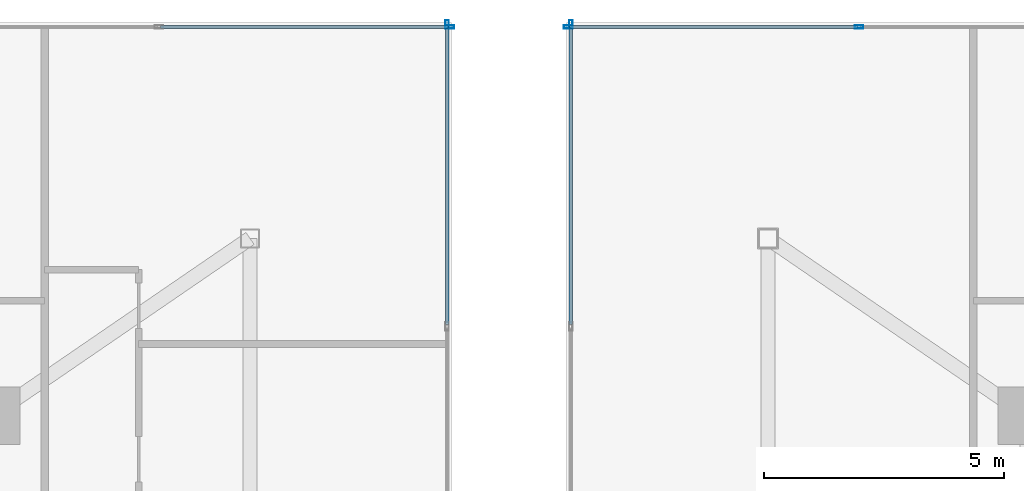
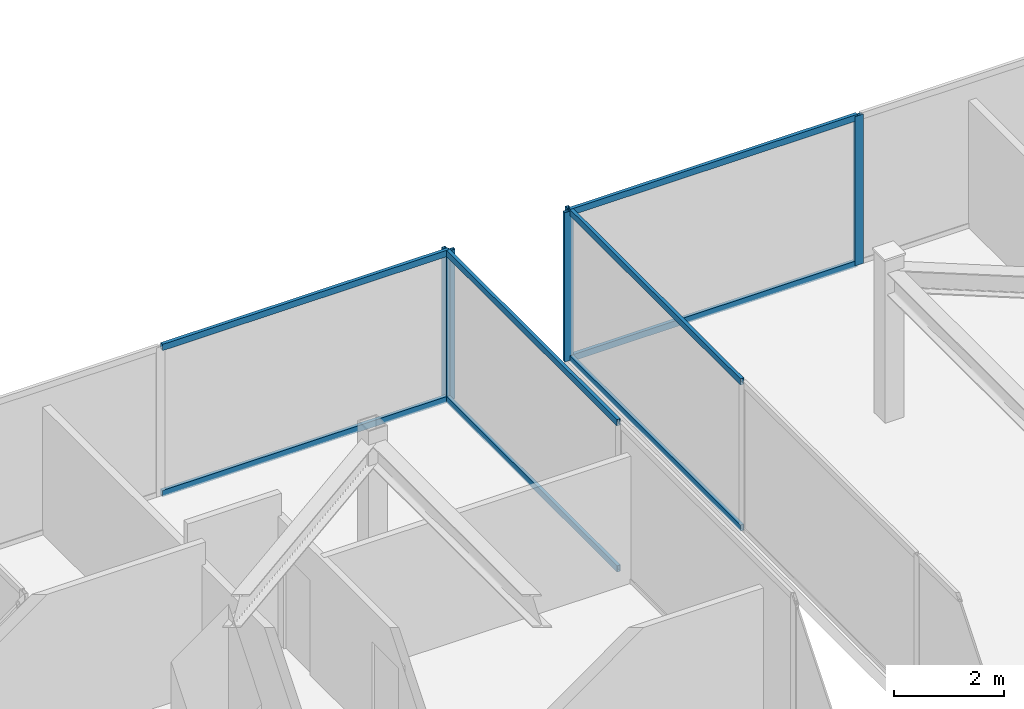
# One storey, part 20 of 25: 13 members, 4 elements without a shape of their own.
"""IFC4 building model written with IfcOpenShell, lengths in metres."""

from ifc_helpers import new_model, si_unit, direction, frame, origin, origin_2d, place, context, subcontext, project, spatial, hollow_rectangle, extrude, source, transform, mapped, material, material_profile, profile_set, type_object, type_shapes, element, aggregate, save


model = new_model("IFC4")

# Units and contexts
model_context = context("Model", 3, precision=1e-05, world=origin(), true_north=direction((0.0, 1.0)))
body_context = subcontext(model_context, "Body", "Model", "MODEL_VIEW")
ifc_project = project(units=[si_unit("LENGTHUNIT", "METRE"), si_unit("AREAUNIT", "SQUARE_METRE"), si_unit("VOLUMEUNIT", "CUBIC_METRE"), si_unit("PLANEANGLEUNIT", "RADIAN"), si_unit("MASSUNIT", "GRAM", prefix="KILO")], contexts=[model_context])

# Site, building, storey
site_placement = place(None, origin())
site = spatial("IfcSite", under=ifc_project, at=site_placement, CompositionType="ELEMENT")
building_placement = place(site_placement, origin())
building = spatial("IfcBuilding", under=site, at=building_placement, Name="Krantzveldt Concourse Tower", CompositionType="ELEMENT")
storey_placement = place(building_placement, frame((0.0, 0.0, 374.64990234375)))
storey = spatial("IfcBuildingStorey", under=building, at=storey_placement, Name="L92", CompositionType="ELEMENT", Elevation=374.64990234375)

# Curtain wall, members
ifc_material = material(Name="Anodised aluminium 6063-T6", Category="aluminium")
curtain_wall_type = type_object("IfcCurtainWallType", Name="CW7", PredefinedType="USERDEFINED", material=ifc_material)
curtain_wall_1_placement = place(storey_placement, origin())
curtain_wall_1 = element("IfcCurtainWall", 1, at=curtain_wall_1_placement, inside=storey, type_object=curtain_wall_type, Name="CW-L92-WEST-02", ObjectType="UNITISED CURTAIN WALL", PredefinedType="USERDEFINED")
ifc_material_profile_1 = material_profile(ifc_material, hollow_rectangle(XDim=0.070068359375, YDim=0.139892578125, WallThickness=0.0048828125, at=origin_2d()), Name="Anodised aluminium 6063-T6", Category="aluminium")
ifc_profile_set_1 = profile_set([ifc_material_profile_1], Name="Anodised aluminium 6063-T6 - ALU-TRAN 140x70x5")
member_type_1 = type_object("IfcMemberType", Name="CW-TRN-150", PredefinedType="USERDEFINED", material=ifc_profile_set_1)
shared_shape_1 = source(origin(), body_context, "Body", "SweptSolid", [
    extrude(hollow_rectangle(XDim=0.070068359375, YDim=0.139892578125, WallThickness=0.0048828125, at=origin_2d()), origin(), (0.0, 0.0, 1.0), 5.994873046875),
])
member_1_placement = place(storey_placement, frame((34.72998046875, 45.610107421875, 0.03515625), z_axis=(-1.0, 0.0, 0.0), x_axis=(0.0, -1.0, 0.0)))
member_1 = element("IfcMember", 2, at=member_1_placement, type_object=member_type_1, Name="CW-CRN transom 1.1", ObjectType="TRANSOM", PredefinedType="USERDEFINED", context=body_context, shape_type="MappedRepresentation", body=[
    mapped(shared_shape_1, transform((0.0, 0.0, 0.0), x_axis=(1.0, 0.0, 0.0), y_axis=(0.0, 1.0, 0.0), z_axis=(0.0, 0.0, 1.0), scale=1.0)),
])
member_2_placement = place(storey_placement, frame((34.72998046875, 45.610107421875, 3.26513671875), z_axis=(-1.0, 0.0, 0.0), x_axis=(0.0, -1.0, 0.0)))
member_2 = element("IfcMember", 3, at=member_2_placement, type_object=member_type_1, Name="CW-CRN transom 1.2", ObjectType="TRANSOM", PredefinedType="USERDEFINED", context=body_context, shape_type="MappedRepresentation", body=[
    mapped(shared_shape_1, transform((0.0, 0.0, 0.0), x_axis=(1.0, 0.0, 0.0), y_axis=(0.0, 1.0, 0.0), z_axis=(0.0, 0.0, 1.0), scale=1.0)),
])

curtain_wall_2_placement = place(storey_placement, origin())
curtain_wall_2 = element("IfcCurtainWall", 4, at=curtain_wall_2_placement, inside=storey, type_object=curtain_wall_type, Name="CW-L92-EAST-06", ObjectType="UNITISED CURTAIN WALL", PredefinedType="USERDEFINED")
member_3_placement = place(storey_placement, frame((43.264892578125, 45.610107421875, 0.03515625), z_axis=(-1.0, 0.0, 0.0), x_axis=(0.0, -1.0, 0.0)))
member_3 = element("IfcMember", 5, at=member_3_placement, type_object=member_type_1, Name="CW-CRN transom 2.1", ObjectType="TRANSOM", PredefinedType="USERDEFINED", context=body_context, shape_type="MappedRepresentation", body=[
    mapped(shared_shape_1, transform((0.0, 0.0, 0.0), x_axis=(1.0, 0.0, 0.0), y_axis=(0.0, 1.0, 0.0), z_axis=(0.0, 0.0, 1.0), scale=1.0)),
])
member_4_placement = place(storey_placement, frame((43.264892578125, 45.610107421875, 3.26513671875), z_axis=(-1.0, 0.0, 0.0), x_axis=(0.0, -1.0, 0.0)))
member_4 = element("IfcMember", 6, at=member_4_placement, type_object=member_type_1, Name="CW-CRN transom 2.2", ObjectType="TRANSOM", PredefinedType="USERDEFINED", context=body_context, shape_type="MappedRepresentation", body=[
    mapped(shared_shape_1, transform((0.0, 0.0, 0.0), x_axis=(1.0, 0.0, 0.0), y_axis=(0.0, 1.0, 0.0), z_axis=(0.0, 0.0, 1.0), scale=1.0)),
])

curtain_wall_3_placement = place(storey_placement, origin())
curtain_wall_3 = element("IfcCurtainWall", 7, at=curtain_wall_3_placement, inside=storey, type_object=curtain_wall_type, Name="CW-L92-WEST-01", ObjectType="UNITISED CURTAIN WALL", PredefinedType="USERDEFINED")
shared_shape_2 = source(origin(), body_context, "Body", "SweptSolid", [
    extrude(hollow_rectangle(XDim=0.070068359375, YDim=0.139892578125, WallThickness=0.0048828125, at=origin_2d()), origin(), (0.0, 0.0, 1.0), 6.228271484375),
])
type_shapes(member_type_1, [shared_shape_1, shared_shape_2])
member_5_placement = place(storey_placement, frame((34.7099609375, 39.401611328125, 0.03515625), z_axis=(0.0, 1.0, 0.0), x_axis=(-1.0, 0.0, 0.0)))
member_5 = element("IfcMember", 8, at=member_5_placement, type_object=member_type_1, Name="CW-CRN transom 6.1", ObjectType="TRANSOM", PredefinedType="USERDEFINED", context=body_context, shape_type="MappedRepresentation", body=[
    mapped(shared_shape_2, transform((0.0, 0.0, 0.0), x_axis=(1.0, 0.0, 0.0), y_axis=(0.0, 1.0, 0.0), z_axis=(0.0, 0.0, 1.0), scale=1.0)),
])
member_6_placement = place(storey_placement, frame((34.7099609375, 39.401611328125, 3.26513671875), z_axis=(0.0, 1.0, 0.0), x_axis=(-1.0, 0.0, 0.0)))
member_6 = element("IfcMember", 9, at=member_6_placement, type_object=member_type_1, Name="CW-CRN transom 6.2", ObjectType="TRANSOM", PredefinedType="USERDEFINED", context=body_context, shape_type="MappedRepresentation", body=[
    mapped(shared_shape_2, transform((0.0, 0.0, 0.0), x_axis=(1.0, 0.0, 0.0), y_axis=(0.0, 1.0, 0.0), z_axis=(0.0, 0.0, 1.0), scale=1.0)),
])

curtain_wall_4_placement = place(storey_placement, origin())
curtain_wall_4 = element("IfcCurtainWall", 10, at=curtain_wall_4_placement, inside=storey, type_object=curtain_wall_type, Name="CW-L92-EAST-07", ObjectType="UNITISED CURTAIN WALL", PredefinedType="USERDEFINED")
member_7_placement = place(storey_placement, frame((37.2900390625, 45.6298828125, 0.03515625), z_axis=(0.0, -1.0, 0.0), x_axis=(1.0, 0.0, 0.0)))
member_7 = element("IfcMember", 11, at=member_7_placement, type_object=member_type_1, Name="CW-CRN transom 1.1", ObjectType="TRANSOM", PredefinedType="USERDEFINED", context=body_context, shape_type="MappedRepresentation", body=[
    mapped(shared_shape_2, transform((0.0, 0.0, 0.0), x_axis=(1.0, 0.0, 0.0), y_axis=(0.0, 1.0, 0.0), z_axis=(0.0, 0.0, 1.0), scale=1.0)),
])
member_8_placement = place(storey_placement, frame((37.2900390625, 45.6298828125, 3.26513671875), z_axis=(0.0, -1.0, 0.0), x_axis=(1.0, 0.0, 0.0)))
member_8 = element("IfcMember", 12, at=member_8_placement, type_object=member_type_1, Name="CW-CRN transom 1.2", ObjectType="TRANSOM", PredefinedType="USERDEFINED", context=body_context, shape_type="MappedRepresentation", body=[
    mapped(shared_shape_2, transform((0.0, 0.0, 0.0), x_axis=(1.0, 0.0, 0.0), y_axis=(0.0, 1.0, 0.0), z_axis=(0.0, 0.0, 1.0), scale=1.0)),
])

# Member
ifc_material_profile_2 = material_profile(ifc_material, hollow_rectangle(XDim=0.070068359375, YDim=0.179931640625, WallThickness=0.0048828125, at=origin_2d()), Name="Anodised aluminium 6063-T6", Category="aluminium")
ifc_profile_set_2 = profile_set([ifc_material_profile_2], Name="Anodised aluminium 6063-T6 - ALU-MULL 180x70x5")
member_type_2 = type_object("IfcMemberType", Name="CW-MUL-180", PredefinedType="MULLION", material=ifc_profile_set_2)
shared_shape_3 = source(origin(), body_context, "Body", "SweptSolid", [
    extrude(hollow_rectangle(XDim=0.070068359375, YDim=0.179931640625, WallThickness=0.0048828125, at=origin_2d()), origin(), (0.0, 0.0, 1.0), 3.300048828125),
])
type_shapes(member_type_2, [shared_shape_3])
member_9_placement = place(storey_placement, frame((34.7099609375, 45.6650390625, 0.0), z_axis=(0.0, 0.0, 1.0), x_axis=(-1.0, 0.0, 0.0)))
member_9 = element("IfcMember", 13, at=member_9_placement, type_object=member_type_2, Name="CW-CRN mullion 7", PredefinedType="MULLION", context=body_context, shape_type="MappedRepresentation", body=[
    mapped(shared_shape_3, transform((0.0, 0.0, 0.0), x_axis=(1.0, 0.0, 0.0), y_axis=(0.0, 1.0, 0.0), z_axis=(0.0, 0.0, 1.0), scale=1.0)),
])

aggregate(curtain_wall_3, [member_9, member_5, member_6])

member_10_placement = place(storey_placement, frame((34.764892578125, 45.610107421875, 0.0), z_axis=(0.0, 0.0, 1.0), x_axis=(0.0, -1.0, 0.0)))
member_10 = element("IfcMember", 14, at=member_10_placement, type_object=member_type_2, Name="CW-CRN mullion 1", PredefinedType="MULLION", context=body_context, shape_type="MappedRepresentation", body=[
    mapped(shared_shape_3, transform((0.0, 0.0, 0.0), x_axis=(1.0, 0.0, 0.0), y_axis=(0.0, 1.0, 0.0), z_axis=(0.0, 0.0, 1.0), scale=1.0)),
])

aggregate(curtain_wall_1, [member_10, member_1, member_2])

member_11_placement = place(storey_placement, frame((43.300048828125, 45.610107421875, 0.0), z_axis=(0.0, 0.0, 1.0), x_axis=(0.0, -1.0, 0.0)))
member_11 = element("IfcMember", 15, at=member_11_placement, type_object=member_type_2, Name="CW-CRN mullion 2", PredefinedType="MULLION", context=body_context, shape_type="MappedRepresentation", body=[
    mapped(shared_shape_3, transform((0.0, 0.0, 0.0), x_axis=(1.0, 0.0, 0.0), y_axis=(0.0, 1.0, 0.0), z_axis=(0.0, 0.0, 1.0), scale=1.0)),
])

member_12_placement = place(storey_placement, frame((37.235107421875, 45.610107421875, 0.0), z_axis=(0.0, 0.0, 1.0), x_axis=(0.0, -1.0, 0.0)))
member_12 = element("IfcMember", 16, at=member_12_placement, type_object=member_type_2, Name="CW-CRN mullion 3", PredefinedType="MULLION", context=body_context, shape_type="MappedRepresentation", body=[
    mapped(shared_shape_3, transform((0.0, 0.0, 0.0), x_axis=(1.0, 0.0, 0.0), y_axis=(0.0, 1.0, 0.0), z_axis=(0.0, 0.0, 1.0), scale=1.0)),
])

aggregate(curtain_wall_2, [member_11, member_12, member_3, member_4])

member_13_placement = place(storey_placement, frame((37.2900390625, 45.6650390625, 0.0), z_axis=(0.0, 0.0, 1.0), x_axis=(1.0, 0.0, 0.0)))
member_13 = element("IfcMember", 17, at=member_13_placement, type_object=member_type_2, Name="CW-CRN mullion 1", PredefinedType="MULLION", context=body_context, shape_type="MappedRepresentation", body=[
    mapped(shared_shape_3, transform((0.0, 0.0, 0.0), x_axis=(1.0, 0.0, 0.0), y_axis=(0.0, 1.0, 0.0), z_axis=(0.0, 0.0, 1.0), scale=1.0)),
])

aggregate(curtain_wall_4, [member_13, member_7, member_8])

save(model, "model.ifc")
